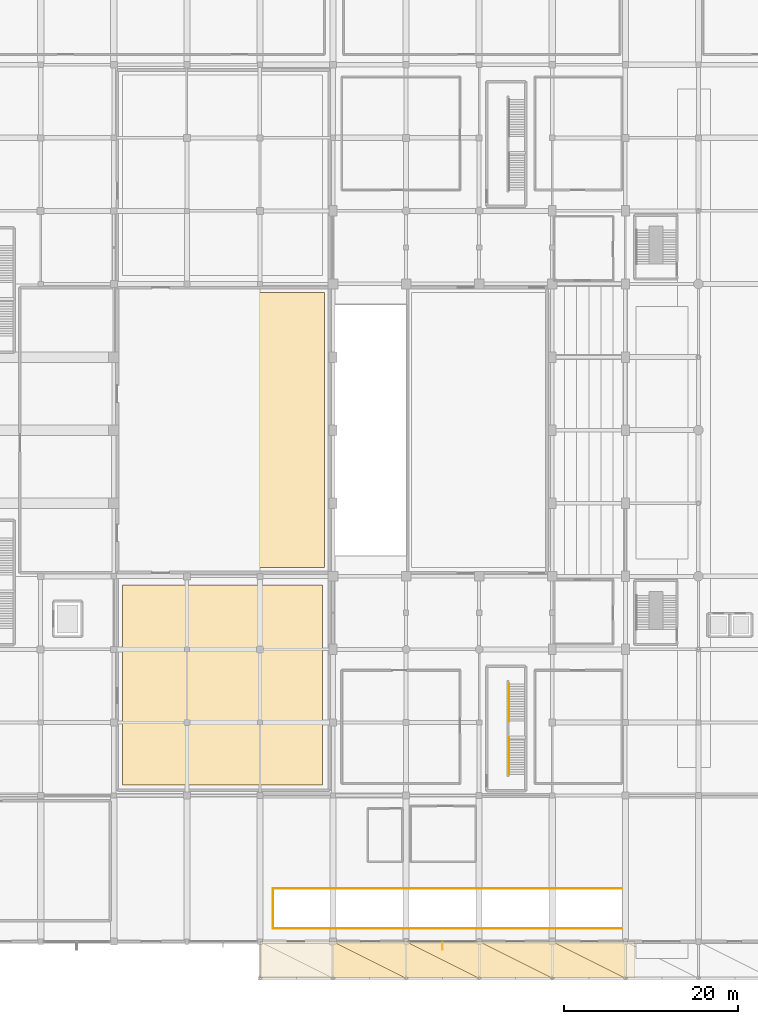
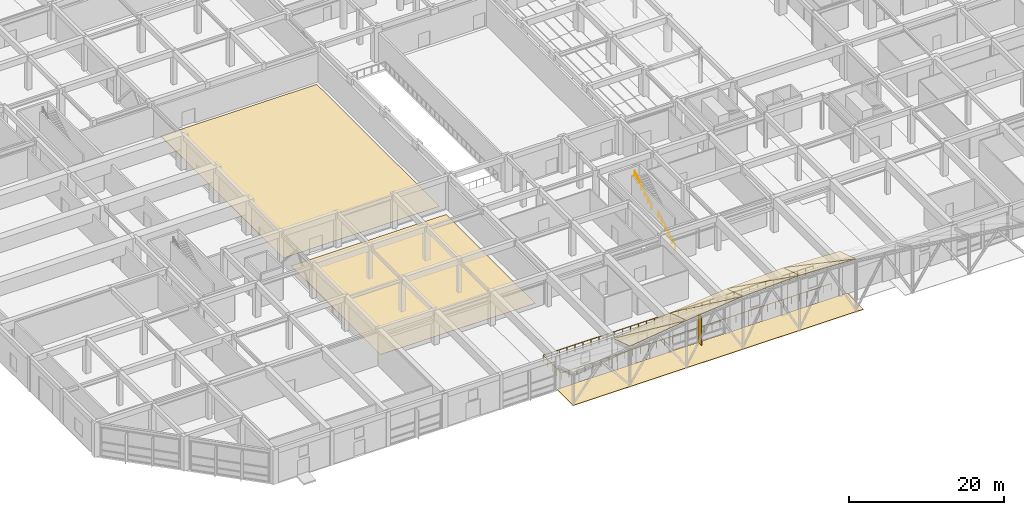
# One storey, part 54 of 62: 11 coverings, 3 railings, 1 shading device.
"""IFC4 building model written with IfcOpenShell, lengths in metres."""

from ifc_helpers import new_model, si_unit, direction, frame, origin, origin_2d, place, context, subcontext, project, spatial, polyline, rectangle, circle, outline, extrude, material, layer, layer_set, type_object, element, save


model = new_model("IFC4")

# Units and contexts
model_context = context("Model", 3, precision=1e-05, world=origin(), true_north=direction((0.0, 1.0)))
body_context = subcontext(model_context, "Body", "Model", "MODEL_VIEW")
ifc_project = project(units=[si_unit("LENGTHUNIT", "METRE"), si_unit("AREAUNIT", "SQUARE_METRE"), si_unit("VOLUMEUNIT", "CUBIC_METRE"), si_unit("PLANEANGLEUNIT", "RADIAN"), si_unit("MASSUNIT", "GRAM", prefix="KILO")], contexts=[model_context])

# Site, building, storey
site_placement = place(None, origin())
site = spatial("IfcSite", under=ifc_project, at=site_placement, CompositionType="ELEMENT")
building_placement = place(site_placement, origin())
building = spatial("IfcBuilding", under=site, at=building_placement, Name="Xuanlan Plaza Opera House", CompositionType="ELEMENT")
storey_placement = place(building_placement, origin())
storey = spatial("IfcBuildingStorey", under=building, at=storey_placement, Name="L00", CompositionType="ELEMENT", Elevation=0.0)

# Coverings
ifc_material_1 = material(Name="Flame-Textured Granite Stone", Category="masonry")
ifc_layer_1 = layer(ifc_material_1, 0.080078125)
ifc_layer_set_1 = layer_set([ifc_layer_1], Name="Flame-Textured Granite Stone")
covering_type_1 = type_object("IfcCoveringType", Name="ENV-COV-PAV01", PredefinedType="USERDEFINED", material=ifc_layer_set_1)
covering_1_placement = place(storey_placement, frame((0.0, 0.0, -0.080078125)))
element("IfcCovering", 1, at=covering_1_placement, inside=storey, type_object=covering_type_1, Name="Civic Plaza Canopy Forecourt Paving PAV-FOY-W", ObjectType="PAVING", PredefinedType="USERDEFINED", context=body_context, shape_type="SweptSolid", body=[
    extrude(outline(polyline([(58.800048828125, -4.199951171875), (101.89990234375, -4.199951171875), (101.89990234375, 0.0), (58.800048828125, 0.0), (58.800048828125, -4.199951171875)])), origin(), (0.0, 0.0, 1.0), 0.080078125),
])
ifc_material_2 = material(Name="Anodised Aluminium 6063-T6", Category="aluminium")
ifc_layer_2 = layer(ifc_material_2, 0.06005859375)
ifc_layer_set_2 = layer_set([ifc_layer_2], Name="Anodised Aluminium 6063-T6")
covering_type_2 = type_object("IfcCoveringType", Name="ENV-COV-RF01", PredefinedType="ROOFING", material=ifc_layer_set_2)
covering_2_placement = place(storey_placement, frame((67.199951171875, 0.0, 5.0), z_axis=(-0.123722494118, 0.303631403473, 0.944722559948), x_axis=(0.991533268738, 0.0, 0.129852905192)))
element("IfcCovering", 2, at=covering_2_placement, inside=storey, type_object=covering_type_2, Name="Grand Plaza Sweeping Arched Canopy Facet 02-1", PredefinedType="ROOFING", context=body_context, shape_type="SweptSolid", body=[
    extrude(outline(polyline([(0.0, 0.0), (8.471875578, 0.0), (8.647157979, -4.408057445), (0.0, 0.0)])), origin(), (0.0, 0.0, -1.0), 0.06005859375),
])
covering_3_placement = place(storey_placement, frame((67.199951171875, 0.0, 5.0), z_axis=(-0.123693394318, 0.303682287033, 0.94471001516), x_axis=(0.865468906024, -0.432721876082, 0.252418998226)))
element("IfcCovering", 3, at=covering_3_placement, inside=storey, type_object=covering_type_2, Name="Grand Plaza Sweeping Arched Canopy Facet 02-2", PredefinedType="ROOFING", context=body_context, shape_type="SweptSolid", body=[
    extrude(outline(polyline([(0.0, 0.0), (9.705890559, 0.0), (2.158201048, -3.847664455), (0.0, 0.0)])), origin(), (0.0, 0.0, -1.0), 0.06005859375),
])
covering_4_placement = place(storey_placement, frame((75.60009765625, 0.0, 6.10009765625), z_axis=(-0.095876262737, 0.304622656095, 0.947635362171), x_axis=(0.994920849619, 0.0, 0.100660334753)))
element("IfcCovering", 4, at=covering_4_placement, inside=storey, type_object=covering_type_2, Name="Grand Plaza Sweeping Arched Canopy Facet 03-1", PredefinedType="ROOFING", context=body_context, shape_type="SweptSolid", body=[
    extrude(outline(polyline([(0.0, 0.0), (8.442784516, 0.0), (8.578685798, -4.409522011), (0.0, 0.0)])), origin(), (0.0, 0.0, -1.0), 0.06005859375),
])
covering_5_placement = place(storey_placement, frame((75.60009765625, 0.0, 6.10009765625), z_axis=(-0.095905161359, 0.304571876598, 0.947648759832), x_axis=(0.870852642469, -0.435426321234, 0.228078043402)))
element("IfcCovering", 5, at=covering_5_placement, inside=storey, type_object=covering_type_2, Name="Grand Plaza Sweeping Arched Canopy Facet 03-2", PredefinedType="ROOFING", context=body_context, shape_type="SweptSolid", body=[
    extrude(outline(polyline([(0.0, 0.0), (9.645607, 0.0), (2.136641237, -3.859593059), (0.0, 0.0)])), origin(), (0.0, 0.0, -1.0), 0.06005859375),
])
covering_6_placement = place(storey_placement, frame((84.0, 0.0, 6.949951171875), z_axis=(-0.039648545342, 0.305741711567, 0.951288599038), x_axis=(0.999132569735, 0.0, 0.041642623525)))
element("IfcCovering", 6, at=covering_6_placement, inside=storey, type_object=covering_type_2, Name="Grand Plaza Sweeping Arched Canopy Facet 04-1", PredefinedType="ROOFING", context=body_context, shape_type="SweptSolid", body=[
    extrude(outline(polyline([(0.0, 0.0), (8.407194999, 0.0), (8.463406441, -4.411182906), (0.0, 0.0)])), origin(), (0.0, 0.0, -1.0), 0.06005859375),
])
covering_7_placement = place(storey_placement, frame((84.0, 0.0, 6.949951171875), z_axis=(-0.039620269934, 0.30579217409, 0.95127355712), x_axis=(0.880124621581, -0.440062310791, 0.178117413825)))
element("IfcCovering", 7, at=covering_7_placement, inside=storey, type_object=covering_type_2, Name="Grand Plaza Sweeping Arched Canopy Facet 04-2", PredefinedType="ROOFING", context=body_context, shape_type="SweptSolid", body=[
    extrude(outline(polyline([(0.0, 0.0), (9.543991996, 0.0), (2.088716121, -3.885822756), (0.0, 0.0)])), origin(), (0.0, 0.0, -1.0), 0.06005859375),
])
covering_8_placement = place(storey_placement, frame((92.39990234375, 0.0, 7.300048828125), z_axis=(0.039646724457, 0.305791852967, 0.951272558155), x_axis=(0.999132620091, 0.0, -0.041641415329)))
element("IfcCovering", 8, at=covering_8_placement, inside=storey, type_object=covering_type_2, Name="Grand Plaza Sweeping Arched Canopy Facet 05-1", PredefinedType="ROOFING", context=body_context, shape_type="SweptSolid", body=[
    extrude(outline(polyline([(0.0, 0.0), (8.407438928, 0.0), (8.351218951, -4.411257513), (0.0, 0.0)])), origin(), (0.0, 0.0, -1.0), 0.06005859375),
])
covering_9_placement = place(storey_placement, frame((92.39990234375, 0.0, 7.300048828125), z_axis=(0.039619790115, 0.305742060566, 0.951289684918), x_axis=(0.889404740527, -0.444689445499, 0.105879670334)))
element("IfcCovering", 9, at=covering_9_placement, inside=storey, type_object=covering_type_2, Name="Grand Plaza Sweeping Arched Canopy Facet 05-2", PredefinedType="ROOFING", context=body_context, shape_type="SweptSolid", body=[
    extrude(outline(polyline([(0.0, 0.0), (9.444683732, 0.0), (2.010596003, -3.926728673), (0.0, 0.0)])), origin(), (0.0, 0.0, -1.0), 0.06005859375),
])

# Railing
ifc_material_3 = material(Name="Stainless Steel S30408", Category="steel")
railing_type_1 = type_object("IfcRailingType", Name="ENV-RL-GR02", PredefinedType="GUARDRAIL", material=ifc_material_3)
railing_placement = place(storey_placement, frame((100.39990234375, 1.5, 0.0)))
element("IfcRailing", 10, at=railing_placement, inside=storey, type_object=railing_type_1, Name="Vehicle Ramp Deck Opening Guardrail", PredefinedType="GUARDRAIL", context=body_context, shape_type="SweptSolid", body=[
    extrude(circle(Radius=0.02392578125, at=origin_2d()), frame((0.0, 0.0, 1.09619140625), z_axis=(-1.0, 0.0, 0.0), x_axis=(0.0, -1.0, 0.0)), (0.0, 0.0, 1.0), 40.099853515625),
    extrude(circle(Radius=0.02392578125, at=origin_2d()), frame((-40.099853515625, 0.0, 1.09619140625), z_axis=(0.0, 1.0, 0.0), x_axis=(-1.0, 0.0, 0.0)), (0.0, 0.0, 1.0), 4.60009765625),
    extrude(circle(Radius=0.02392578125, at=origin_2d()), frame((-40.099853515625, 4.60009765625, 1.09619140625), z_axis=(1.0, 0.0, 0.0), x_axis=(0.0, 1.0, 0.0)), (0.0, 0.0, 1.0), 40.099853515625),
    extrude(circle(Radius=0.02099609375, at=origin_2d()), origin(), (0.0, 0.0, 1.0), 1.072021484375),
    extrude(circle(Radius=0.02099609375, at=origin_2d()), frame((-1.179443359375, 0.0, 0.0)), (0.0, 0.0, 1.0), 1.072021484375),
    extrude(circle(Radius=0.02099609375, at=origin_2d()), frame((-2.35888671875, 0.0, 0.0)), (0.0, 0.0, 1.0), 1.072021484375),
    extrude(circle(Radius=0.02099609375, at=origin_2d()), frame((-3.538330078125, 0.0, 0.0)), (0.0, 0.0, 1.0), 1.072021484375),
    extrude(circle(Radius=0.02099609375, at=origin_2d()), frame((-4.717529296875, 0.0, 0.0)), (0.0, 0.0, 1.0), 1.072021484375),
    extrude(circle(Radius=0.02099609375, at=origin_2d()), frame((-5.89697265625, 0.0, 0.0)), (0.0, 0.0, 1.0), 1.072021484375),
    extrude(circle(Radius=0.02099609375, at=origin_2d()), frame((-7.076416015625, 0.0, 0.0)), (0.0, 0.0, 1.0), 1.072021484375),
    extrude(circle(Radius=0.02099609375, at=origin_2d()), frame((-8.255859375, 0.0, 0.0)), (0.0, 0.0, 1.0), 1.072021484375),
    extrude(circle(Radius=0.02099609375, at=origin_2d()), frame((-9.435302734375, 0.0, 0.0)), (0.0, 0.0, 1.0), 1.072021484375),
    extrude(circle(Radius=0.02099609375, at=origin_2d()), frame((-10.61474609375, 0.0, 0.0)), (0.0, 0.0, 1.0), 1.072021484375),
    extrude(circle(Radius=0.02099609375, at=origin_2d()), frame((-11.794189453125, 0.0, 0.0)), (0.0, 0.0, 1.0), 1.072021484375),
    extrude(circle(Radius=0.02099609375, at=origin_2d()), frame((-12.973388671875, 0.0, 0.0)), (0.0, 0.0, 1.0), 1.072021484375),
    extrude(circle(Radius=0.02099609375, at=origin_2d()), frame((-14.15283203125, 0.0, 0.0)), (0.0, 0.0, 1.0), 1.072021484375),
    extrude(circle(Radius=0.02099609375, at=origin_2d()), frame((-15.332275390625, 0.0, 0.0)), (0.0, 0.0, 1.0), 1.072021484375),
    extrude(circle(Radius=0.02099609375, at=origin_2d()), frame((-16.51171875, 0.0, 0.0)), (0.0, 0.0, 1.0), 1.072021484375),
    extrude(circle(Radius=0.02099609375, at=origin_2d()), frame((-17.691162109375, 0.0, 0.0)), (0.0, 0.0, 1.0), 1.072021484375),
    extrude(circle(Radius=0.02099609375, at=origin_2d()), frame((-18.87060546875, 0.0, 0.0)), (0.0, 0.0, 1.0), 1.072021484375),
    extrude(circle(Radius=0.02099609375, at=origin_2d()), frame((-20.0498046875, 0.0, 0.0)), (0.0, 0.0, 1.0), 1.072021484375),
    extrude(circle(Radius=0.02099609375, at=origin_2d()), frame((-21.229248046875, 0.0, 0.0)), (0.0, 0.0, 1.0), 1.072021484375),
    extrude(circle(Radius=0.02099609375, at=origin_2d()), frame((-22.40869140625, 0.0, 0.0)), (0.0, 0.0, 1.0), 1.072021484375),
    extrude(circle(Radius=0.02099609375, at=origin_2d()), frame((-23.588134765625, 0.0, 0.0)), (0.0, 0.0, 1.0), 1.072021484375),
    extrude(circle(Radius=0.02099609375, at=origin_2d()), frame((-24.767578125, 0.0, 0.0)), (0.0, 0.0, 1.0), 1.072021484375),
    extrude(circle(Radius=0.02099609375, at=origin_2d()), frame((-25.947021484375, 0.0, 0.0)), (0.0, 0.0, 1.0), 1.072021484375),
    extrude(circle(Radius=0.02099609375, at=origin_2d()), frame((-27.12646484375, 0.0, 0.0)), (0.0, 0.0, 1.0), 1.072021484375),
    extrude(circle(Radius=0.02099609375, at=origin_2d()), frame((-28.3056640625, 0.0, 0.0)), (0.0, 0.0, 1.0), 1.072021484375),
    extrude(circle(Radius=0.02099609375, at=origin_2d()), frame((-29.485107421875, 0.0, 0.0)), (0.0, 0.0, 1.0), 1.072021484375),
    extrude(circle(Radius=0.02099609375, at=origin_2d()), frame((-30.66455078125, 0.0, 0.0)), (0.0, 0.0, 1.0), 1.072021484375),
    extrude(circle(Radius=0.02099609375, at=origin_2d()), frame((-31.843994140625, 0.0, 0.0)), (0.0, 0.0, 1.0), 1.072021484375),
    extrude(circle(Radius=0.02099609375, at=origin_2d()), frame((-33.0234375, 0.0, 0.0)), (0.0, 0.0, 1.0), 1.072021484375),
    extrude(circle(Radius=0.02099609375, at=origin_2d()), frame((-34.202880859375, 0.0, 0.0)), (0.0, 0.0, 1.0), 1.072021484375),
    extrude(circle(Radius=0.02099609375, at=origin_2d()), frame((-35.38232421875, 0.0, 0.0)), (0.0, 0.0, 1.0), 1.072021484375),
    extrude(circle(Radius=0.02099609375, at=origin_2d()), frame((-36.5615234375, 0.0, 0.0)), (0.0, 0.0, 1.0), 1.072021484375),
    extrude(circle(Radius=0.02099609375, at=origin_2d()), frame((-37.740966796875, 0.0, 0.0)), (0.0, 0.0, 1.0), 1.072021484375),
    extrude(circle(Radius=0.02099609375, at=origin_2d()), frame((-38.92041015625, 0.0, 0.0)), (0.0, 0.0, 1.0), 1.072021484375),
    extrude(circle(Radius=0.02099609375, at=origin_2d()), frame((-40.099853515625, 0.0, 0.0)), (0.0, 0.0, 1.0), 1.072021484375),
    extrude(circle(Radius=0.02099609375, at=origin_2d()), frame((-40.099853515625, 1.14990234375, 0.0)), (0.0, 0.0, 1.0), 1.072021484375),
    extrude(circle(Radius=0.02099609375, at=origin_2d()), frame((-40.099853515625, 2.300048828125, 0.0)), (0.0, 0.0, 1.0), 1.072021484375),
    extrude(circle(Radius=0.02099609375, at=origin_2d()), frame((-40.099853515625, 3.4501953125, 0.0)), (0.0, 0.0, 1.0), 1.072021484375),
    extrude(circle(Radius=0.02099609375, at=origin_2d()), frame((-40.099853515625, 4.60009765625, 0.0)), (0.0, 0.0, 1.0), 1.072021484375),
    extrude(circle(Radius=0.02099609375, at=origin_2d()), frame((-38.92041015625, 4.60009765625, 0.0)), (0.0, 0.0, 1.0), 1.072021484375),
    extrude(circle(Radius=0.02099609375, at=origin_2d()), frame((-37.740966796875, 4.60009765625, 0.0)), (0.0, 0.0, 1.0), 1.072021484375),
    extrude(circle(Radius=0.02099609375, at=origin_2d()), frame((-36.5615234375, 4.60009765625, 0.0)), (0.0, 0.0, 1.0), 1.072021484375),
    extrude(circle(Radius=0.02099609375, at=origin_2d()), frame((-35.38232421875, 4.60009765625, 0.0)), (0.0, 0.0, 1.0), 1.072021484375),
    extrude(circle(Radius=0.02099609375, at=origin_2d()), frame((-34.202880859375, 4.60009765625, 0.0)), (0.0, 0.0, 1.0), 1.072021484375),
    extrude(circle(Radius=0.02099609375, at=origin_2d()), frame((-33.0234375, 4.60009765625, 0.0)), (0.0, 0.0, 1.0), 1.072021484375),
    extrude(circle(Radius=0.02099609375, at=origin_2d()), frame((-31.843994140625, 4.60009765625, 0.0)), (0.0, 0.0, 1.0), 1.072021484375),
    extrude(circle(Radius=0.02099609375, at=origin_2d()), frame((-30.66455078125, 4.60009765625, 0.0)), (0.0, 0.0, 1.0), 1.072021484375),
    extrude(circle(Radius=0.02099609375, at=origin_2d()), frame((-29.485107421875, 4.60009765625, 0.0)), (0.0, 0.0, 1.0), 1.072021484375),
    extrude(circle(Radius=0.02099609375, at=origin_2d()), frame((-28.3056640625, 4.60009765625, 0.0)), (0.0, 0.0, 1.0), 1.072021484375),
    extrude(circle(Radius=0.02099609375, at=origin_2d()), frame((-27.12646484375, 4.60009765625, 0.0)), (0.0, 0.0, 1.0), 1.072021484375),
    extrude(circle(Radius=0.02099609375, at=origin_2d()), frame((-25.947021484375, 4.60009765625, 0.0)), (0.0, 0.0, 1.0), 1.072021484375),
    extrude(circle(Radius=0.02099609375, at=origin_2d()), frame((-24.767578125, 4.60009765625, 0.0)), (0.0, 0.0, 1.0), 1.072021484375),
    extrude(circle(Radius=0.02099609375, at=origin_2d()), frame((-23.588134765625, 4.60009765625, 0.0)), (0.0, 0.0, 1.0), 1.072021484375),
    extrude(circle(Radius=0.02099609375, at=origin_2d()), frame((-22.40869140625, 4.60009765625, 0.0)), (0.0, 0.0, 1.0), 1.072021484375),
    extrude(circle(Radius=0.02099609375, at=origin_2d()), frame((-21.229248046875, 4.60009765625, 0.0)), (0.0, 0.0, 1.0), 1.072021484375),
    extrude(circle(Radius=0.02099609375, at=origin_2d()), frame((-20.0498046875, 4.60009765625, 0.0)), (0.0, 0.0, 1.0), 1.072021484375),
    extrude(circle(Radius=0.02099609375, at=origin_2d()), frame((-18.87060546875, 4.60009765625, 0.0)), (0.0, 0.0, 1.0), 1.072021484375),
    extrude(circle(Radius=0.02099609375, at=origin_2d()), frame((-17.691162109375, 4.60009765625, 0.0)), (0.0, 0.0, 1.0), 1.072021484375),
    extrude(circle(Radius=0.02099609375, at=origin_2d()), frame((-16.51171875, 4.60009765625, 0.0)), (0.0, 0.0, 1.0), 1.072021484375),
    extrude(circle(Radius=0.02099609375, at=origin_2d()), frame((-15.332275390625, 4.60009765625, 0.0)), (0.0, 0.0, 1.0), 1.072021484375),
    extrude(circle(Radius=0.02099609375, at=origin_2d()), frame((-14.15283203125, 4.60009765625, 0.0)), (0.0, 0.0, 1.0), 1.072021484375),
    extrude(circle(Radius=0.02099609375, at=origin_2d()), frame((-12.973388671875, 4.60009765625, 0.0)), (0.0, 0.0, 1.0), 1.072021484375),
    extrude(circle(Radius=0.02099609375, at=origin_2d()), frame((-11.794189453125, 4.60009765625, 0.0)), (0.0, 0.0, 1.0), 1.072021484375),
    extrude(circle(Radius=0.02099609375, at=origin_2d()), frame((-10.61474609375, 4.60009765625, 0.0)), (0.0, 0.0, 1.0), 1.072021484375),
    extrude(circle(Radius=0.02099609375, at=origin_2d()), frame((-9.435302734375, 4.60009765625, 0.0)), (0.0, 0.0, 1.0), 1.072021484375),
    extrude(circle(Radius=0.02099609375, at=origin_2d()), frame((-8.255859375, 4.60009765625, 0.0)), (0.0, 0.0, 1.0), 1.072021484375),
    extrude(circle(Radius=0.02099609375, at=origin_2d()), frame((-7.076416015625, 4.60009765625, 0.0)), (0.0, 0.0, 1.0), 1.072021484375),
    extrude(circle(Radius=0.02099609375, at=origin_2d()), frame((-5.89697265625, 4.60009765625, 0.0)), (0.0, 0.0, 1.0), 1.072021484375),
    extrude(circle(Radius=0.02099609375, at=origin_2d()), frame((-4.717529296875, 4.60009765625, 0.0)), (0.0, 0.0, 1.0), 1.072021484375),
    extrude(circle(Radius=0.02099609375, at=origin_2d()), frame((-3.538330078125, 4.60009765625, 0.0)), (0.0, 0.0, 1.0), 1.072021484375),
    extrude(circle(Radius=0.02099609375, at=origin_2d()), frame((-2.35888671875, 4.60009765625, 0.0)), (0.0, 0.0, 1.0), 1.072021484375),
    extrude(circle(Radius=0.02099609375, at=origin_2d()), frame((-1.179443359375, 4.60009765625, 0.0)), (0.0, 0.0, 1.0), 1.072021484375),
    extrude(circle(Radius=0.02099609375, at=origin_2d()), frame((0.0, 4.60009765625, 0.0)), (0.0, 0.0, 1.0), 1.072021484375),
])

# Shading device
shading_device_type = type_object("IfcShadingDeviceType", Name="ENV-SHD-BRS02", PredefinedType="JALOUSIE", material=ifc_material_2)
shading_device_placement = place(storey_placement, frame((79.77490234375, -0.465087890625, 0.0400390625), z_axis=(0.0, 0.0, 1.0), x_axis=(0.0, -1.0, 0.0)))
element("IfcShadingDevice", 11, at=shading_device_placement, inside=storey, type_object=shading_device_type, Name="Parametric Sunshade Fin L00-0003", PredefinedType="JALOUSIE", context=body_context, shape_type="SweptSolid", body=[
    extrude(rectangle(XDim=0.919921875, YDim=0.080078125, at=origin_2d()), origin(), (0.0, 0.0, 1.0), 4.5),
])

# Coverings
ifc_material_4 = material(Name="Oregon Pine Hardwood Timber", Category="wood")
ifc_layer_3 = layer(ifc_material_4, 0.030029296875)
ifc_layer_set_3 = layer_set([ifc_layer_3], Name="Oregon Pine Hardwood Timber")
covering_type_3 = type_object("IfcCoveringType", Name="INT-COV-FLR-01", PredefinedType="FLOORING", material=ifc_layer_set_3)
covering_10_placement = place(storey_placement, origin())
element("IfcCovering", 12, at=covering_10_placement, inside=storey, type_object=covering_type_3, Name="Acoustic Floor Finish FLR-MAIN-STG", PredefinedType="FLOORING", context=body_context, shape_type="SweptSolid", body=[
    extrude(outline(polyline([(43.0, 43.0), (66.199951171875, 43.0), (66.199951171875, 74.60009765625), (43.0, 74.60009765625), (43.0, 43.0)])), origin(), (0.0, 0.0, 1.0), 0.030029296875),
])
covering_11_placement = place(storey_placement, origin())
element("IfcCovering", 13, at=covering_11_placement, inside=storey, type_object=covering_type_3, Name="Acoustic Floor Finish FLR-SIDE-S", PredefinedType="FLOORING", context=body_context, shape_type="SweptSolid", body=[
    extrude(outline(polyline([(43.0, 18.0), (66.0, 18.0), (66.0, 41.0), (43.0, 41.0), (43.0, 18.0)])), origin(), (0.0, 0.0, 1.0), 0.030029296875),
])

# Railings
railing_type_2 = type_object("IfcRailingType", Name="INT-RL-HR01", PredefinedType="HANDRAIL", material=ifc_material_3)
for number, where, name in (
    (14, (87.4599609375, 19.199951171875, 0.168701171875), "Stair Handrail ST-P3 L00 Flight 1"),
    (15, (87.4599609375, 25.324951171875, 2.86865234375), "Stair Handrail ST-P3 L00 Flight 2"),
):
    element("IfcRailing", number, at=place(storey_placement, frame(where)), inside=storey, type_object=railing_type_2, Name=name, PredefinedType="HANDRAIL", context=body_context, shape_type="SweptSolid", body=[
        extrude(circle(Radius=0.02392578125, at=origin_2d()), frame((0.0, 0.0, 0.8759765625), z_axis=(0.0, 0.860483042394, 0.50947908078), x_axis=(-1.0, 0.0, 0.0)), (0.0, 0.0, 1.0), 4.96826171875),
        extrude(circle(Radius=0.02099609375, at=origin_2d()), origin(), (0.0, 0.0, 1.0), 0.851806640625),
        extrude(circle(Radius=0.02099609375, at=origin_2d()), frame((0.0, 0.85498046875, 0.50634765625)), (0.0, 0.0, 1.0), 0.851806640625),
        extrude(circle(Radius=0.02099609375, at=origin_2d()), frame((0.0, 1.7099609375, 1.012451171875)), (0.0, 0.0, 1.0), 0.851806640625),
        extrude(circle(Radius=0.02099609375, at=origin_2d()), frame((0.0, 2.565185546875, 1.518798828125)), (0.0, 0.0, 1.0), 0.851806640625),
        extrude(circle(Radius=0.02099609375, at=origin_2d()), frame((0.0, 3.420166015625, 2.02490234375)), (0.0, 0.0, 1.0), 0.851806640625),
        extrude(circle(Radius=0.02099609375, at=origin_2d()), frame((0.0, 4.275146484375, 2.53125)), (0.0, 0.0, 1.0), 0.851806640625),
    ])

save(model, "model.ifc")
